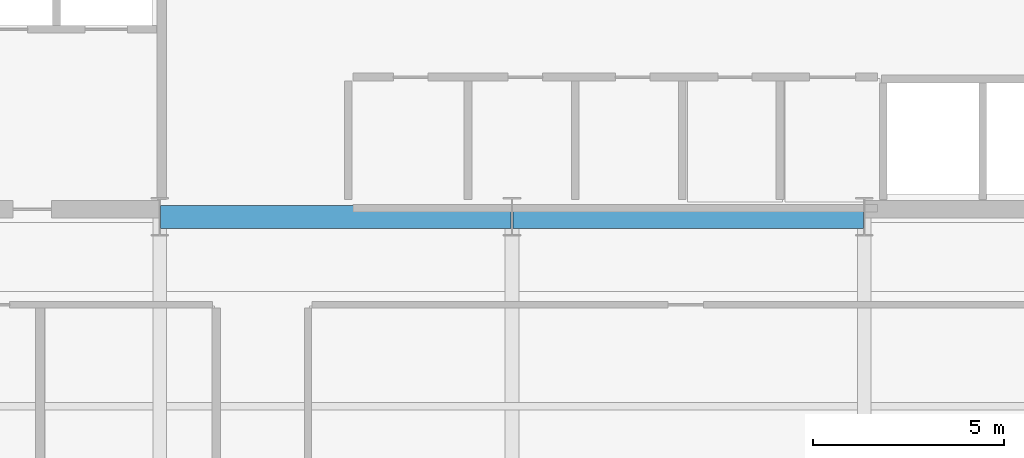
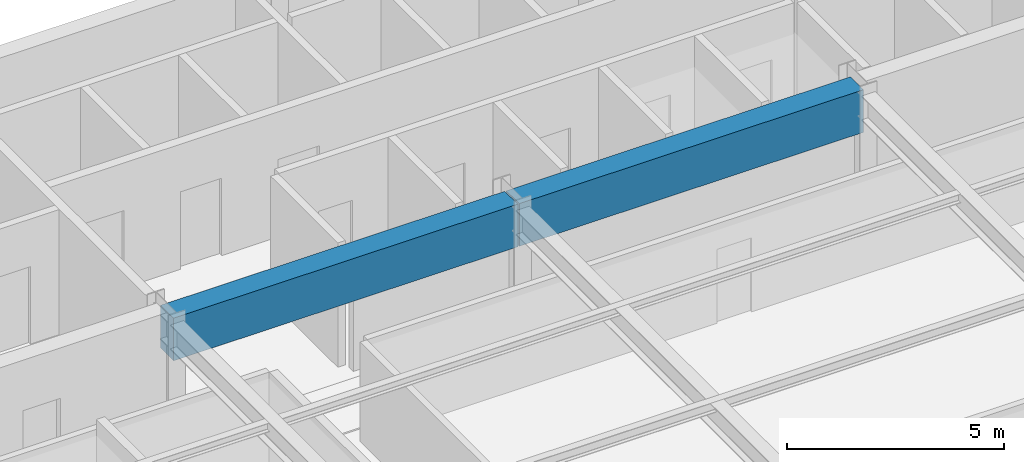
# One storey, part 23 of 31: 2 beams.
"""IFC4 building model written with IfcOpenShell, lengths in metres."""

from ifc_helpers import new_model, si_unit, direction, frame, origin, origin_2d, place, context, subcontext, project, spatial, rectangle, extrude, source, transform, mapped, material, material_profile, profile_set, type_object, type_shapes, element, save


model = new_model("IFC4")

# Units and contexts
model_context = context("Model", 3, precision=1e-05, world=origin(), true_north=direction((0.0, 1.0)))
body_context = subcontext(model_context, "Body", "Model", "MODEL_VIEW")
ifc_project = project(units=[si_unit("LENGTHUNIT", "METRE"), si_unit("AREAUNIT", "SQUARE_METRE"), si_unit("VOLUMEUNIT", "CUBIC_METRE"), si_unit("PLANEANGLEUNIT", "RADIAN"), si_unit("MASSUNIT", "GRAM", prefix="KILO")], contexts=[model_context])

# Site, building, storey
site_placement = place(None, origin())
site = spatial("IfcSite", under=ifc_project, at=site_placement, CompositionType="ELEMENT")
building_placement = place(site_placement, origin())
building = spatial("IfcBuilding", under=site, at=building_placement, Name="Varnel Quay Broadcast Tower", CompositionType="ELEMENT")
storey_placement = place(building_placement, frame((0.0, 0.0, 94.60009765625)))
storey = spatial("IfcBuildingStorey", under=building, at=storey_placement, Name="L22", CompositionType="ELEMENT", Elevation=94.60009765625)

# Beams
ifc_material = material(Name="Concrete CSA A23.3 C60/75", Category="concrete")
ifc_material_profile = material_profile(ifc_material, rectangle(XDim=0.60009765625, YDim=1.199951171875, at=origin_2d()), Name="RC600X1200")
ifc_profile_set = profile_set([ifc_material_profile], Name="Concrete CSA A23.3 C60/75")
beam_type = type_object("IfcBeamType", Name="Beam_RC600X1200", PredefinedType="BEAM", material=ifc_profile_set)
shared_shape = source(origin(), body_context, "Body", "SweptSolid", [
    extrude(rectangle(XDim=0.60009765625, YDim=1.199951171875, at=origin_2d()), origin(), (0.0, 0.0, 1.0), 9.159912109375),
])
type_shapes(beam_type, [shared_shape])
for number, where, z_axis, x_axis, name in (
    (1, (24.820068359375, 35.60009765625, 2.919921875), (1.0, 0.0, 0.0), (0.0, 1.0, 0.0), "L22 Core Coupling Beam W"),
    (2, (34.02001953125, 35.60009765625, 2.919921875), (1.0, 0.0, 0.0), (0.0, 1.0, 0.0), "L22 Core Coupling Beam E"),
):
    element("IfcBeam", number, at=place(storey_placement, frame(where, z_axis=z_axis, x_axis=x_axis)), inside=storey, type_object=beam_type, Name=name, PredefinedType="BEAM", context=body_context, shape_type="MappedRepresentation", body=[
        mapped(shared_shape, transform((0.0, 0.0, 0.0), x_axis=(1.0, 0.0, 0.0), y_axis=(0.0, 1.0, 0.0), z_axis=(0.0, 0.0, 1.0), scale=1.0)),
    ])

save(model, "model.ifc")
